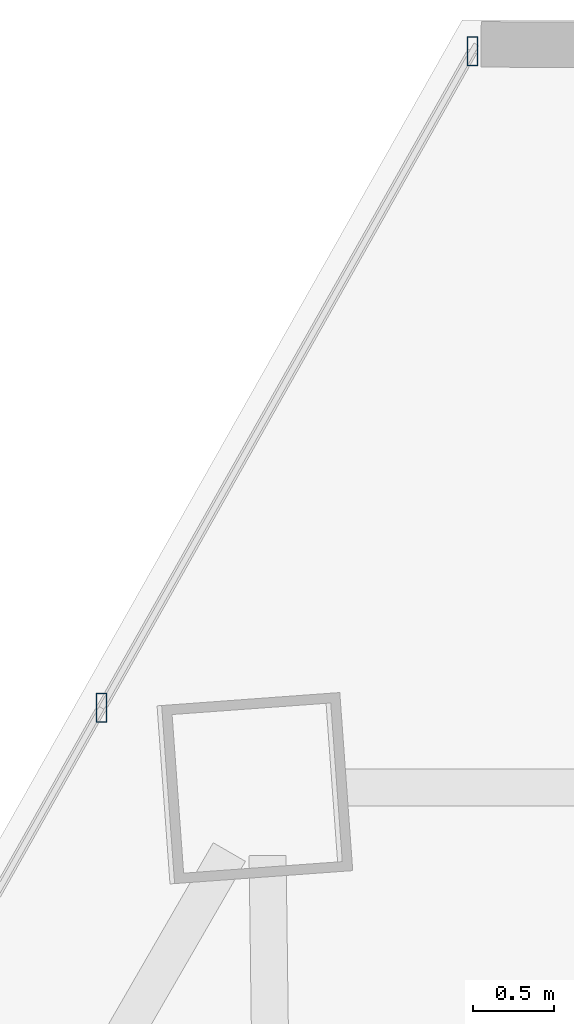
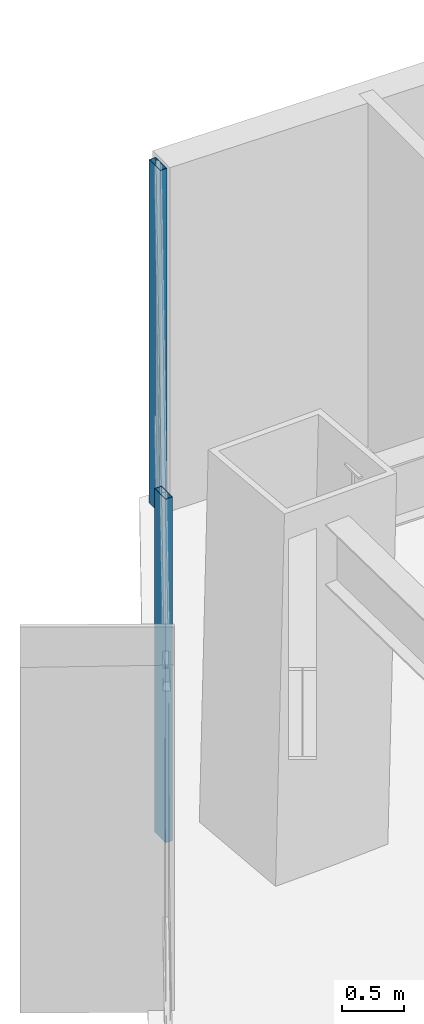
# One storey, part 25 of 35: 2 members, 1 element without a shape of its own.
"""IFC4 building model written with IfcOpenShell, lengths in metres."""

from ifc_helpers import new_model, si_unit, direction, frame, origin, origin_2d, place, context, subcontext, project, spatial, hollow_rectangle, extrude, source, transform, mapped, material, material_profile, profile_set, type_object, type_shapes, element, aggregate, save


model = new_model("IFC4")

# Units and contexts
model_context = context("Model", 3, precision=1e-05, world=origin(), true_north=direction((0.0, 1.0)))
body_context = subcontext(model_context, "Body", "Model", "MODEL_VIEW")
ifc_project = project(units=[si_unit("LENGTHUNIT", "METRE"), si_unit("AREAUNIT", "SQUARE_METRE"), si_unit("VOLUMEUNIT", "CUBIC_METRE"), si_unit("PLANEANGLEUNIT", "RADIAN"), si_unit("MASSUNIT", "GRAM", prefix="KILO")], contexts=[model_context])

# Site, building, storey
site_placement = place(None, origin())
site = spatial("IfcSite", under=ifc_project, at=site_placement, CompositionType="ELEMENT")
building_placement = place(site_placement, origin())
building = spatial("IfcBuilding", under=site, at=building_placement, Name="Caelisora Broadcast Tower", CompositionType="ELEMENT")
storey_placement = place(building_placement, frame((0.0, 0.0, 90.800048828125)))
storey = spatial("IfcBuildingStorey", under=building, at=storey_placement, Name="L23", CompositionType="ELEMENT", Elevation=90.800048828125)

# Curtain wall, members
ifc_material_1 = material(Name="Unitised Aluminium and Low-E Glass Curtain Wall", Category="glass")
curtain_wall_type = type_object("IfcCurtainWallType", Name="CW-Z2", PredefinedType="NOTDEFINED", material=ifc_material_1)
curtain_wall_placement = place(storey_placement, origin())
curtain_wall = element("IfcCurtainWall", 1, at=curtain_wall_placement, inside=storey, type_object=curtain_wall_type, Name="L23 curtain wall CW-Z2", PredefinedType="NOTDEFINED")
ifc_material_2 = material(Name="Aluminium 6063-T6 Anodised Terracotta Bronze", Category="aluminium")
ifc_material_profile = material_profile(ifc_material_2, hollow_rectangle(XDim=0.06494140625, YDim=0.179931640625, WallThickness=0.00341796875, at=origin_2d()), Name="Aluminium 6063-T6 Anodised Terracotta Bronze")
ifc_profile_set = profile_set([ifc_material_profile], Name="Aluminium 6063-T6 Anodised Terracotta Bronze")
member_type = type_object("IfcMemberType", Name="CWM-02", PredefinedType="MULLION", material=ifc_profile_set)
shared_shape = source(origin(), body_context, "Body", "SweptSolid", [
    extrude(hollow_rectangle(XDim=0.06494140625, YDim=0.179931640625, WallThickness=0.00341796875, at=origin_2d()), origin(), (0.0, 0.0, 1.0), 3.39990234375),
])
type_shapes(member_type, [shared_shape])
member_1_placement = place(storey_placement, frame((29.267822265625, 46.87939453125, 0.0), z_axis=(0.0, 0.0, 1.0), x_axis=(1.0, 0.0, 0.0)))
member_1 = element("IfcMember", 2, at=member_1_placement, type_object=member_type, Name="L23-CW-B11 mullion #2", PredefinedType="MULLION", context=body_context, shape_type="MappedRepresentation", body=[
    mapped(shared_shape, transform((0.0, 0.0, 0.0), scale=1.0)),
])
member_2_placement = place(storey_placement, frame((31.552490234375, 50.924560546875, 0.0), z_axis=(0.0, 0.0, 1.0), x_axis=(1.0, 0.0, 0.0)))
member_2 = element("IfcMember", 3, at=member_2_placement, type_object=member_type, Name="L23-CW-B11 mullion #3", PredefinedType="MULLION", context=body_context, shape_type="MappedRepresentation", body=[
    mapped(shared_shape, transform((0.0, 0.0, 0.0), scale=1.0)),
])
aggregate(curtain_wall, [member_1, member_2])

save(model, "model.ifc")
